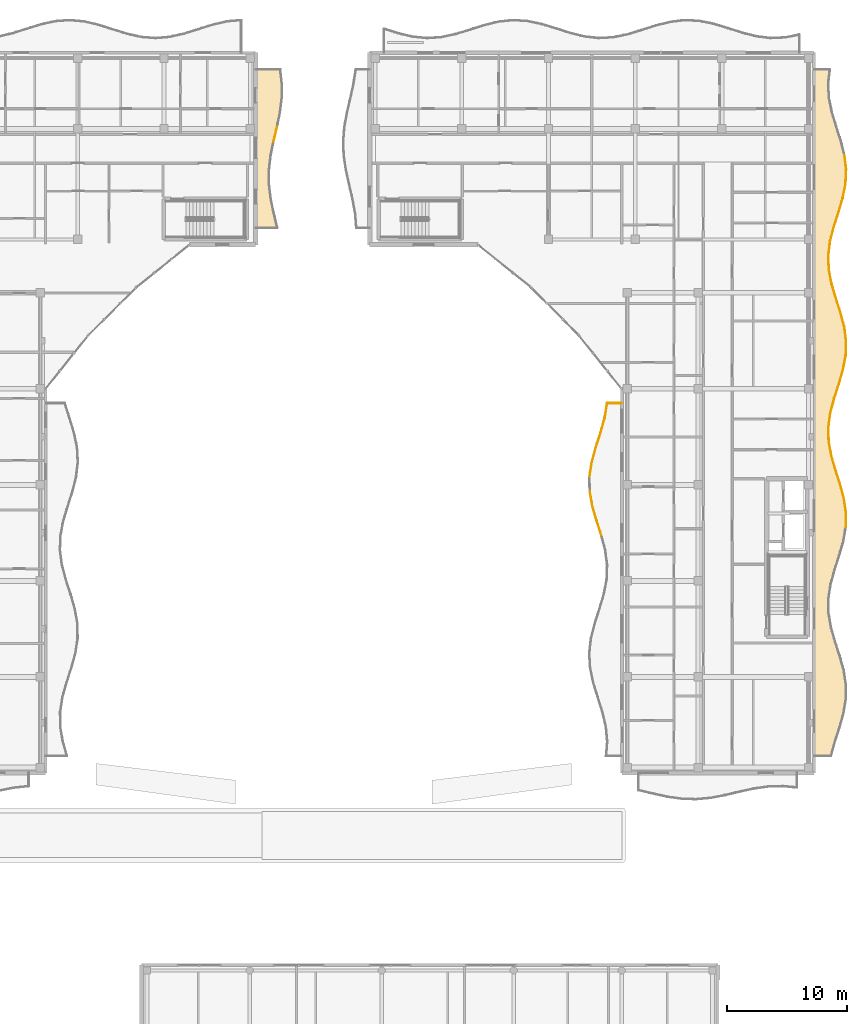
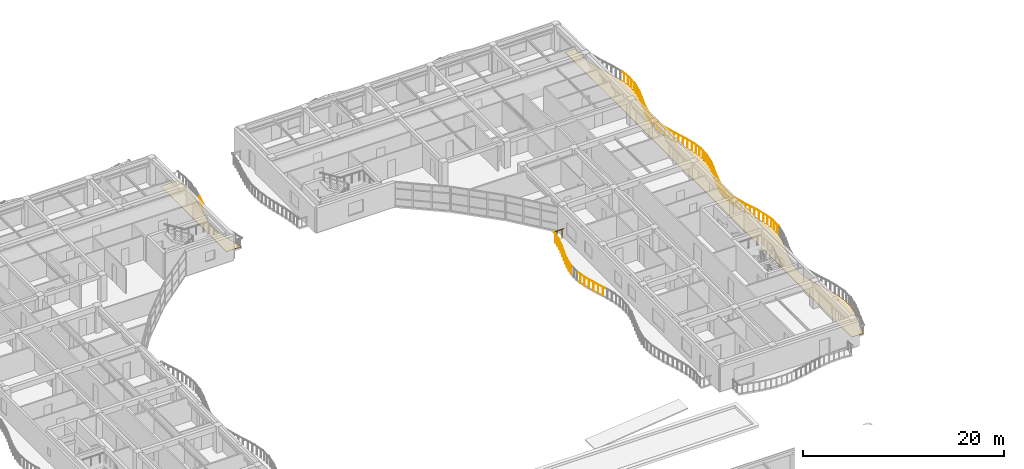
# One storey, part 126 of 128: 36 railings, 2 coverings.
"""IFC4 building model written with IfcOpenShell, lengths in metres."""

import ifcopenshell
import ifcopenshell.guid

model = None  # the IFC model being written
_history = None  # IfcOwnerHistory: only IFC2X3 demands one
_inside = {}  # id of a spatial element -> (the spatial element, [elements in it])
_under = {}  # id of a project, library or spatial element -> (it, [spatial elements below it])
_declared = {}  # id of a project -> (the project, [libraries it declares])
_typed = {}  # id of a type object -> (the type object, [elements of that type])
_made_of = {}  # id of a material, layer set ... -> (it, [elements and type objects made of it])


def new_model(schema):
    """Start an empty IFC model of exactly this schema.

    Asked for "IFC4X3", IfcOpenShell would pick the latest addendum, in which some entities
    have other attributes; the version numbers below select the first issue.
    IFC2X3 requires an IfcOwnerHistory on every rooted entity: one is made here for all.
    """
    global model, _history
    if schema == "IFC4X3":
        model = ifcopenshell.file(schema_version=(4, 3, 0, 0))
    else:
        model = ifcopenshell.file(schema=schema)
    _inside.clear()
    _under.clear()
    _declared.clear()
    _typed.clear()
    _made_of.clear()
    _history = None
    if model.schema == "IFC2X3":
        org = make("IfcOrganization", Name="unknown")
        user = make(
            "IfcPersonAndOrganization",
            ThePerson=make("IfcPerson", FamilyName="unknown"),
            TheOrganization=org,
        )
        app = make(
            "IfcApplication",
            ApplicationDeveloper=org,
            Version="unknown",
            ApplicationFullName="unknown",
            ApplicationIdentifier="unknown",
        )
        _history = make(
            "IfcOwnerHistory",
            OwningUser=user,
            OwningApplication=app,
            ChangeAction="ADDED",
            CreationDate=0,
        )
    return model


def make(cls, **values):
    """One entity of the class cls with the attributes given. An attribute that is None is left unset."""
    return model.create_entity(
        cls, **{name: value for name, value in values.items() if value is not None}
    )


def rooted(cls, **values):
    """An entity with a GlobalId (a new one), such as an element, a storey or a relation."""
    return make(cls, GlobalId=ifcopenshell.guid.new(), OwnerHistory=_history, **values)


def si_unit(unit_type, name, prefix=None):
    """IfcSIUnit, for example si_unit("LENGTHUNIT", "METRE", prefix="MILLI")."""
    return make("IfcSIUnit", UnitType=unit_type, Prefix=prefix, Name=name)


def assignment(units):
    """IfcUnitAssignment: the units of a project."""
    return None if units is None else make("IfcUnitAssignment", Units=units)


def point(xyz):
    """IfcCartesianPoint."""
    return None if xyz is None else make("IfcCartesianPoint", Coordinates=xyz)


def direction(xyz):
    """IfcDirection."""
    return None if xyz is None else make("IfcDirection", DirectionRatios=xyz)


def frame(location, z_axis=None, x_axis=None):
    """IfcAxis2Placement3D, a coordinate frame: its origin and axes. An axis left out is left unset."""
    return make(
        "IfcAxis2Placement3D",
        Location=point(location),
        Axis=direction(z_axis),
        RefDirection=direction(x_axis),
    )


def frame_2d(location, x_axis=None):
    """IfcAxis2Placement2D, a coordinate frame in the plane: its origin and x axis."""
    return make(
        "IfcAxis2Placement2D", Location=point(location), RefDirection=direction(x_axis)
    )


def origin():
    """The frame at (0, 0, 0) with its axes left unset."""
    return frame((0.0, 0.0, 0.0))


def origin_2d():
    """The frame at (0, 0) in the plane with its x axis left unset."""
    return frame_2d((0.0, 0.0))


def place(relative_to, where):
    """IfcLocalPlacement: puts the frame where relative to a parent placement (None: the world)."""
    return make(
        "IfcLocalPlacement", PlacementRelTo=relative_to, RelativePlacement=where
    )


def context(
    kind, dimensions, precision=None, world=None, true_north=None, identifier=None
):
    """IfcGeometricRepresentationContext, for example the 3D "Model" context."""
    return make(
        "IfcGeometricRepresentationContext",
        ContextIdentifier=identifier,
        ContextType=kind,
        CoordinateSpaceDimension=dimensions,
        Precision=precision,
        WorldCoordinateSystem=world,
        TrueNorth=true_north,
    )


def subcontext(parent, identifier, kind, view, scale=None):
    """IfcGeometricRepresentationSubContext, for example "Body" below "Model"."""
    return make(
        "IfcGeometricRepresentationSubContext",
        ContextIdentifier=identifier,
        ContextType=kind,
        ParentContext=parent,
        TargetScale=scale,
        TargetView=view,
    )


def project(units=None, contexts=None):
    """IfcProject with its units and contexts."""
    return rooted(
        "IfcProject",
        Name="project",
        RepresentationContexts=contexts,
        UnitsInContext=assignment(units),
    )


def spatial(cls, under=None, at=None, **own):
    """A site, building, storey or space (cls), placed at a placement, below another one or the project."""
    s = rooted(cls, ObjectPlacement=at, **own)
    if under is not None:
        _under.setdefault(under.id(), (under, []))[1].append(s)
    return s


def polyline(points):
    """IfcPolyline through the points."""
    return make("IfcPolyline", Points=[point(p) for p in points])


def profile(cls, at=None, kind="AREA", **sizes):
    """A parametric profile (cls). Its sizes go by their IFC names, for example OverallWidth=200.0."""
    return make(cls, ProfileType=kind, Position=at, **sizes)


def circle(**sizes):
    """IfcCircleProfileDef."""
    return profile("IfcCircleProfileDef", **sizes)


def outline(outer, holes=None, kind="AREA"):
    """IfcArbitraryClosedProfileDef: a profile drawn as a closed curve; with holes, ...WithVoids."""
    if holes is None:
        return make("IfcArbitraryClosedProfileDef", ProfileType=kind, OuterCurve=outer)
    return make(
        "IfcArbitraryProfileDefWithVoids",
        ProfileType=kind,
        OuterCurve=outer,
        InnerCurves=holes,
    )


def extrude(swept, where, along, depth):
    """IfcExtrudedAreaSolid: the profile swept, set in the frame where, extruded along a direction by depth."""
    return make(
        "IfcExtrudedAreaSolid",
        SweptArea=swept,
        Position=where,
        ExtrudedDirection=direction(along),
        Depth=depth,
    )


def shape(context_of_items, identifier, shape_type, items):
    """IfcShapeRepresentation: the items that make up one representation, for example the "Body"."""
    return make(
        "IfcShapeRepresentation",
        ContextOfItems=context_of_items,
        RepresentationIdentifier=identifier,
        RepresentationType=shape_type,
        Items=items,
    )


def material(Name=None, Category=None):
    """IfcMaterial."""
    return make("IfcMaterial", Name=Name, Category=Category)


def layer(
    of_material, thickness, ventilated=None, Name=None, Category=None, Priority=None
):
    """IfcMaterialLayer: one layer of a wall or slab, of a material (None: an air gap)."""
    return make(
        "IfcMaterialLayer",
        Material=of_material,
        LayerThickness=thickness,
        IsVentilated=ventilated,
        Name=Name,
        Category=Category,
        Priority=Priority,
    )


def layer_set(layers, Name=None):
    """IfcMaterialLayerSet."""
    return make("IfcMaterialLayerSet", MaterialLayers=layers, LayerSetName=Name)


def made_of(thing, what):
    """Note that an element or type object is made of a material, layer set ...; save() writes the relation."""
    if what is not None:
        _made_of.setdefault(what.id(), (what, []))[1].append(thing)
    return thing


def type_object(cls, material=None, **own):
    """A type object (cls), such as IfcWallType, which elements share."""
    return made_of(rooted(cls, **own), material)


def element(
    cls,
    number,
    at=None,
    inside=None,
    cuts=None,
    type_object=None,
    material=None,
    context=None,
    identifier="Body",
    shape_type=None,
    held_by="IfcProductDefinitionShape",
    body=None,
    shapes=None,
    **own,
):
    """One element of the class cls, such as IfcWall. Its Tag is "e" and its number.

    at: its placement. inside: the storey or other place that contains it. cuts: it is an
    opening in that element (IfcRelVoidsElement). A single representation is given by context,
    identifier, shape_type and body (its items); several are given by shapes. held_by: the class
    of the entity that holds the representations. save() writes the other relations.
    """
    e = rooted(cls, Tag="e%d" % number, ObjectPlacement=at, **own)
    if body is not None:
        shapes = [shape(context, identifier, shape_type, body)]
    if shapes is not None:
        e.Representation = make(held_by, Representations=shapes)
    if inside is not None:
        _inside.setdefault(inside.id(), (inside, []))[1].append(e)
    if cuts is not None:
        rooted(
            "IfcRelVoidsElement", RelatingBuildingElement=cuts, RelatedOpeningElement=e
        )
    if type_object is not None:
        _typed.setdefault(type_object.id(), (type_object, []))[1].append(e)
    return made_of(e, material)


def aggregate(whole, parts):
    """IfcRelAggregates: a whole, such as a stair, and the parts it consists of."""
    return rooted("IfcRelAggregates", RelatingObject=whole, RelatedObjects=parts)


def save(model, path):
    """Write the relations noted so far, then the file.

    IfcRelAggregates (storeys below a building ...), IfcRelContainedInSpatialStructure (elements
    in a storey), IfcRelDefinesByType, IfcRelAssociatesMaterial and IfcRelDeclares: one each for
    every whole, place, type object, material and project.
    """
    for whole, parts in _under.values():
        aggregate(whole, parts)
    for where, things in _inside.values():
        rooted(
            "IfcRelContainedInSpatialStructure",
            RelatedElements=things,
            RelatingStructure=where,
        )
    for kind, things in _typed.values():
        rooted("IfcRelDefinesByType", RelatedObjects=things, RelatingType=kind)
    for what, things in _made_of.values():
        rooted("IfcRelAssociatesMaterial", RelatedObjects=things, RelatingMaterial=what)
    for by, libraries in _declared.values():
        rooted("IfcRelDeclares", RelatingContext=by, RelatedDefinitions=libraries)
    model.write(path)


model = new_model("IFC4")

# Units and contexts
model_context = context("Model", 3, precision=1e-05, world=origin(), true_north=direction((0.0, 1.0)))
body_context = subcontext(model_context, "Body", "Model", "MODEL_VIEW")
ifc_project = project(units=[si_unit("LENGTHUNIT", "METRE"), si_unit("AREAUNIT", "SQUARE_METRE"), si_unit("VOLUMEUNIT", "CUBIC_METRE"), si_unit("PLANEANGLEUNIT", "RADIAN"), si_unit("MASSUNIT", "GRAM", prefix="KILO")], contexts=[model_context])

# Site, building, storey
site_placement = place(None, origin())
site = spatial("IfcSite", under=ifc_project, at=site_placement, CompositionType="ELEMENT")
building_placement = place(site_placement, origin())
building = spatial("IfcBuilding", under=site, at=building_placement, Name="Keldmere Railside Commons", CompositionType="ELEMENT")
storey_placement = place(building_placement, frame((0.0, 0.0, 4.159912109375)))
storey = spatial("IfcBuildingStorey", under=building, at=storey_placement, Name="L01", CompositionType="ELEMENT", Elevation=4.159912109375)

# Railings
ifc_material_1 = material(Name="Steel F-24 (S235)", Category="steel")
railing_type = type_object("IfcRailingType", Name="Balcony & Terrace Steel Balustrade 1100", PredefinedType="BALUSTRADE", material=ifc_material_1)
railing_1_placement = place(storey_placement, frame((138.991943359375, 108.60009765625, 0.0)))
element("IfcRailing", 1, at=railing_1_placement, inside=storey, type_object=railing_type, Name="GR-1 GRD-L01-1943", PredefinedType="BALUSTRADE", context=body_context, shape_type="SweptSolid", body=[
    extrude(circle(Radius=0.02392578125, at=origin_2d()), frame((0.0, 0.0, 1.076171875), z_axis=(0.230826468553, 0.97299493391, 0.0), x_axis=(-0.97299493391, 0.230826468553, 0.0)), (0.0, 0.0, 1.0), 1.233154296875),
    extrude(circle(Radius=0.02099609375, at=origin_2d()), frame((0.0712890625, 0.300048828125, 0.0)), (0.0, 0.0, 1.0), 1.048095703125),
    extrude(circle(Radius=0.02099609375, at=origin_2d()), frame((0.21337890625, 0.89990234375, 0.0)), (0.0, 0.0, 1.0), 1.048095703125),
])
railing_2_placement = place(storey_placement, frame((166.306396484375, 75.77490234375, 0.0)))
element("IfcRailing", 2, at=railing_2_placement, inside=storey, type_object=railing_type, Name="GR-1 GRD-L01-3203", PredefinedType="BALUSTRADE", context=body_context, shape_type="SweptSolid", body=[
    extrude(circle(Radius=0.02392578125, at=origin_2d()), frame((0.0, 0.0, 1.076171875), z_axis=(-0.306709041772, 0.951803321961, 0.0), x_axis=(-0.951803321961, -0.306709041772, 0.0)), (0.0, 0.0, 1.0), 1.287109375),
    extrude(circle(Radius=0.02099609375, at=origin_2d()), frame((-0.0986328125, 0.30615234375, 0.0)), (0.0, 0.0, 1.0), 1.048095703125),
    extrude(circle(Radius=0.02099609375, at=origin_2d()), frame((-0.296142578125, 0.9189453125, 0.0)), (0.0, 0.0, 1.0), 1.048095703125),
])
railing_3_placement = place(storey_placement, frame((165.91162109375, 77.0, 0.0)))
element("IfcRailing", 3, at=railing_3_placement, inside=storey, type_object=railing_type, Name="GR-1 GRD-L01-3204", PredefinedType="BALUSTRADE", context=body_context, shape_type="SweptSolid", body=[
    extrude(circle(Radius=0.02392578125, at=origin_2d()), frame((0.0, 0.0, 1.076171875), z_axis=(-0.279191603743, 0.96023541301, 0.0), x_axis=(-0.96023541301, -0.279191603743, 0.0)), (0.0, 0.0, 1.0), 1.27587890625),
    extrude(circle(Radius=0.02099609375, at=origin_2d()), frame((-0.089111328125, 0.30615234375, 0.0)), (0.0, 0.0, 1.0), 1.048095703125),
    extrude(circle(Radius=0.02099609375, at=origin_2d()), frame((-0.26708984375, 0.9189453125, 0.0)), (0.0, 0.0, 1.0), 1.048095703125),
])
railing_4_placement = place(storey_placement, frame((165.555419921875, 78.22509765625, 0.0)))
element("IfcRailing", 4, at=railing_4_placement, inside=storey, type_object=railing_type, Name="GR-1 GRD-L01-3205", PredefinedType="BALUSTRADE", context=body_context, shape_type="SweptSolid", body=[
    extrude(circle(Radius=0.02392578125, at=origin_2d()), frame((0.0, 0.0, 1.076171875), z_axis=(-0.17543066745, 0.984491788141, 0.0), x_axis=(-0.984491788141, -0.17543066745, 0.0)), (0.0, 0.0, 1.0), 1.244140625),
    extrude(circle(Radius=0.02099609375, at=origin_2d()), frame((-0.0546875, 0.30615234375, 0.0)), (0.0, 0.0, 1.0), 1.048095703125),
    extrude(circle(Radius=0.02099609375, at=origin_2d()), frame((-0.16357421875, 0.918701171875, 0.0)), (0.0, 0.0, 1.0), 1.048095703125),
])
railing_5_placement = place(storey_placement, frame((165.31787109375, 80.675048828125, 0.0)))
element("IfcRailing", 5, at=railing_5_placement, inside=storey, type_object=railing_type, Name="GR-1 GRD-L01-3207", PredefinedType="BALUSTRADE", context=body_context, shape_type="SweptSolid", body=[
    extrude(circle(Radius=0.02392578125, at=origin_2d()), frame((0.0, 0.0, 1.076171875), z_axis=(0.14919815412, 0.988807317331, 0.0), x_axis=(-0.988807317331, 0.14919815412, 0.0)), (0.0, 0.0, 1.0), 1.23876953125),
    extrude(circle(Radius=0.02099609375, at=origin_2d()), frame((0.046142578125, 0.30615234375, 0.0)), (0.0, 0.0, 1.0), 1.048095703125),
    extrude(circle(Radius=0.02099609375, at=origin_2d()), frame((0.138671875, 0.918701171875, 0.0)), (0.0, 0.0, 1.0), 1.048095703125),
])
railing_6_placement = place(storey_placement, frame((165.502685546875, 81.89990234375, 0.0)))
element("IfcRailing", 6, at=railing_6_placement, inside=storey, type_object=railing_type, Name="GR-1 GRD-L01-3208", PredefinedType="BALUSTRADE", context=body_context, shape_type="SweptSolid", body=[
    extrude(circle(Radius=0.02392578125, at=origin_2d()), frame((0.0, 0.0, 1.076171875), z_axis=(0.265701207082, 0.964055428155, 0.0), x_axis=(-0.964055428155, 0.265701207082, 0.0)), (0.0, 0.0, 1.0), 1.270751953125),
    extrude(circle(Radius=0.02099609375, at=origin_2d()), frame((0.08447265625, 0.30615234375, 0.0)), (0.0, 0.0, 1.0), 1.048095703125),
    extrude(circle(Radius=0.02099609375, at=origin_2d()), frame((0.253173828125, 0.9189453125, 0.0)), (0.0, 0.0, 1.0), 1.048095703125),
])
railing_7_placement = place(storey_placement, frame((165.84033203125, 83.125, 0.0)))
element("IfcRailing", 7, at=railing_7_placement, inside=storey, type_object=railing_type, Name="GR-1 GRD-L01-3209", PredefinedType="BALUSTRADE", context=body_context, shape_type="SweptSolid", body=[
    extrude(circle(Radius=0.02392578125, at=origin_2d()), frame((0.0, 0.0, 1.076171875), z_axis=(0.307567840436, 0.951526154937, 0.0), x_axis=(-0.951526154937, 0.307567840436, 0.0)), (0.0, 0.0, 1.0), 1.28759765625),
    extrude(circle(Radius=0.02099609375, at=origin_2d()), frame((0.09912109375, 0.30615234375, 0.0)), (0.0, 0.0, 1.0), 1.048095703125),
    extrude(circle(Radius=0.02099609375, at=origin_2d()), frame((0.296875, 0.9189453125, 0.0)), (0.0, 0.0, 1.0), 1.048095703125),
])
railing_8_placement = place(storey_placement, frame((166.236328125, 84.35009765625, 0.0)))
element("IfcRailing", 8, at=railing_8_placement, inside=storey, type_object=railing_type, Name="GR-1 GRD-L01-3210", PredefinedType="BALUSTRADE", context=body_context, shape_type="SweptSolid", body=[
    extrude(circle(Radius=0.02392578125, at=origin_2d()), frame((0.0, 0.0, 1.076171875), z_axis=(0.27056219299, 0.962702498036, 0.0), x_axis=(-0.962702498036, 0.27056219299, 0.0)), (0.0, 0.0, 1.0), 1.272216796875),
    extrude(circle(Radius=0.02099609375, at=origin_2d()), frame((0.0859375, 0.30615234375, 0.0)), (0.0, 0.0, 1.0), 1.048095703125),
    extrude(circle(Radius=0.02099609375, at=origin_2d()), frame((0.25830078125, 0.918701171875, 0.0)), (0.0, 0.0, 1.0), 1.048095703125),
])
railing_9_placement = place(storey_placement, frame((166.58056640625, 85.574951171875, 0.0)))
element("IfcRailing", 9, at=railing_9_placement, inside=storey, type_object=railing_type, Name="GR-1 GRD-L01-3211", PredefinedType="BALUSTRADE", context=body_context, shape_type="SweptSolid", body=[
    extrude(circle(Radius=0.02392578125, at=origin_2d()), frame((0.0, 0.0, 1.076171875), z_axis=(0.158013525126, 0.987436947798, 0.0), x_axis=(-0.987436947798, 0.158013525126, 0.0)), (0.0, 0.0, 1.0), 1.24072265625),
    extrude(circle(Radius=0.02099609375, at=origin_2d()), frame((0.049072265625, 0.30615234375, 0.0)), (0.0, 0.0, 1.0), 1.048095703125),
    extrude(circle(Radius=0.02099609375, at=origin_2d()), frame((0.14697265625, 0.9189453125, 0.0)), (0.0, 0.0, 1.0), 1.048095703125),
])
railing_10_placement = place(storey_placement, frame((166.776611328125, 86.800048828125, 0.0)))
element("IfcRailing", 10, at=railing_10_placement, inside=storey, type_object=railing_type, Name="GR-1 GRD-L01-3212", PredefinedType="BALUSTRADE", context=body_context, shape_type="SweptSolid", body=[
    extrude(circle(Radius=0.02392578125, at=origin_2d()), frame((0.0, 0.0, 1.076171875), z_axis=(1.0, 0.0, 0.0), x_axis=(0.0, 1.0, 0.0)), (0.0, 0.0, 1.0), 1.223388671875),
    extrude(circle(Radius=0.02099609375, at=origin_2d()), frame((0.305908203125, 0.0, 0.0)), (0.0, 0.0, 1.0), 1.048095703125),
    extrude(circle(Radius=0.02099609375, at=origin_2d()), frame((0.91748046875, 0.0, 0.0)), (0.0, 0.0, 1.0), 1.048095703125),
])
railing_11_placement = place(storey_placement, frame((186.66259765625, 76.466796875, 0.0)))
element("IfcRailing", 11, at=railing_11_placement, inside=storey, type_object=railing_type, Name="GR-1 GRD-L01-3230", PredefinedType="BALUSTRADE", context=body_context, shape_type="SweptSolid", body=[
    extrude(circle(Radius=0.02392578125, at=origin_2d()), frame((0.0, 0.0, 1.076171875), z_axis=(0.018644299667, 0.999826179938, 0.0), x_axis=(-0.999826179938, 0.018644299667, 0.0)), (0.0, 0.0, 1.0), 1.191650390625),
    extrude(circle(Radius=0.02099609375, at=origin_2d()), frame((0.005615234375, 0.2978515625, 0.0)), (0.0, 0.0, 1.0), 1.048095703125),
    extrude(circle(Radius=0.02099609375, at=origin_2d()), frame((0.0166015625, 0.8935546875, 0.0)), (0.0, 0.0, 1.0), 1.048095703125),
])
railing_12_placement = place(storey_placement, frame((186.684814453125, 77.658203125, 0.0)))
element("IfcRailing", 12, at=railing_12_placement, inside=storey, type_object=railing_type, Name="GR-1 GRD-L01-3231", PredefinedType="BALUSTRADE", context=body_context, shape_type="SweptSolid", body=[
    extrude(circle(Radius=0.02392578125, at=origin_2d()), frame((0.0, 0.0, 1.076171875), z_axis=(-0.142925458072, 0.989733455752, 0.0), x_axis=(-0.989733455752, -0.142925458072, 0.0)), (0.0, 0.0, 1.0), 1.204345703125),
    extrude(circle(Radius=0.02099609375, at=origin_2d()), frame((-0.04296875, 0.2978515625, 0.0)), (0.0, 0.0, 1.0), 1.048095703125),
    extrude(circle(Radius=0.02099609375, at=origin_2d()), frame((-0.129150390625, 0.89404296875, 0.0)), (0.0, 0.0, 1.0), 1.048095703125),
])
railing_13_placement = place(storey_placement, frame((186.5126953125, 78.85009765625, 0.0)))
element("IfcRailing", 13, at=railing_13_placement, inside=storey, type_object=railing_type, Name="GR-1 GRD-L01-3232", PredefinedType="BALUSTRADE", context=body_context, shape_type="SweptSolid", body=[
    extrude(circle(Radius=0.02392578125, at=origin_2d()), frame((0.0, 0.0, 1.076171875), z_axis=(-0.259767710943, 0.965671132607, 0.0), x_axis=(-0.965671132607, -0.259767710943, 0.0)), (0.0, 0.0, 1.0), 1.234130859375),
    extrude(circle(Radius=0.02099609375, at=origin_2d()), frame((-0.080078125, 0.2978515625, 0.0)), (0.0, 0.0, 1.0), 1.048095703125),
    extrude(circle(Radius=0.02099609375, at=origin_2d()), frame((-0.240478515625, 0.893798828125, 0.0)), (0.0, 0.0, 1.0), 1.048095703125),
])
railing_14_placement = place(storey_placement, frame((186.192138671875, 80.041748046875, 0.0)))
element("IfcRailing", 14, at=railing_14_placement, inside=storey, type_object=railing_type, Name="GR-1 GRD-L01-3233", PredefinedType="BALUSTRADE", context=body_context, shape_type="SweptSolid", body=[
    extrude(circle(Radius=0.02392578125, at=origin_2d()), frame((0.0, 0.0, 1.076171875), z_axis=(-0.307264804156, 0.951624053987, 0.0), x_axis=(-0.951624053987, -0.307264804156, 0.0)), (0.0, 0.0, 1.0), 1.252197265625),
    extrude(circle(Radius=0.02099609375, at=origin_2d()), frame((-0.09619140625, 0.2978515625, 0.0)), (0.0, 0.0, 1.0), 1.048095703125),
    extrude(circle(Radius=0.02099609375, at=origin_2d()), frame((-0.28857421875, 0.893798828125, 0.0)), (0.0, 0.0, 1.0), 1.048095703125),
])
railing_15_placement = place(storey_placement, frame((185.807373046875, 81.2333984375, 0.0)))
element("IfcRailing", 15, at=railing_15_placement, inside=storey, type_object=railing_type, Name="GR-1 GRD-L01-3234", PredefinedType="BALUSTRADE", context=body_context, shape_type="SweptSolid", body=[
    extrude(circle(Radius=0.02392578125, at=origin_2d()), frame((0.0, 0.0, 1.076171875), z_axis=(-0.279524086169, 0.960138680218, 0.0), x_axis=(-0.960138680218, -0.279524086169, 0.0)), (0.0, 0.0, 1.0), 1.2412109375),
    extrude(circle(Radius=0.02099609375, at=origin_2d()), frame((-0.086669921875, 0.2978515625, 0.0)), (0.0, 0.0, 1.0), 1.048095703125),
    extrude(circle(Radius=0.02099609375, at=origin_2d()), frame((-0.26025390625, 0.893798828125, 0.0)), (0.0, 0.0, 1.0), 1.048095703125),
])
railing_16_placement = place(storey_placement, frame((185.46044921875, 82.425048828125, 0.0)))
element("IfcRailing", 16, at=railing_16_placement, inside=storey, type_object=railing_type, Name="GR-1 GRD-L01-3235", PredefinedType="BALUSTRADE", context=body_context, shape_type="SweptSolid", body=[
    extrude(circle(Radius=0.02392578125, at=origin_2d()), frame((0.0, 0.0, 1.076171875), z_axis=(-0.17957709837, 0.983743902518, 0.0), x_axis=(-0.983743902518, -0.17957709837, 0.0)), (0.0, 0.0, 1.0), 1.21142578125),
    extrude(circle(Radius=0.02099609375, at=origin_2d()), frame((-0.054443359375, 0.2978515625, 0.0)), (0.0, 0.0, 1.0), 1.048095703125),
    extrude(circle(Radius=0.02099609375, at=origin_2d()), frame((-0.1630859375, 0.893798828125, 0.0)), (0.0, 0.0, 1.0), 1.048095703125),
])
railing_17_placement = place(storey_placement, frame((185.242919921875, 83.61669921875, 0.0)))
element("IfcRailing", 17, at=railing_17_placement, inside=storey, type_object=railing_type, Name="GR-1 GRD-L01-3236", PredefinedType="BALUSTRADE", context=body_context, shape_type="SweptSolid", body=[
    extrude(circle(Radius=0.02392578125, at=origin_2d()), frame((0.0, 0.0, 1.076171875), z_axis=(-0.025805785471, 0.999666975265, 0.0), x_axis=(-0.999666975265, -0.025805785471, 0.0)), (0.0, 0.0, 1.0), 1.192138671875),
    extrude(circle(Radius=0.02099609375, at=origin_2d()), frame((-0.0078125, 0.2978515625, 0.0)), (0.0, 0.0, 1.0), 1.048095703125),
    extrude(circle(Radius=0.02099609375, at=origin_2d()), frame((-0.02294921875, 0.893798828125, 0.0)), (0.0, 0.0, 1.0), 1.048095703125),
])
railing_18_placement = place(storey_placement, frame((185.212158203125, 84.808349609375, 0.0)))
element("IfcRailing", 18, at=railing_18_placement, inside=storey, type_object=railing_type, Name="GR-1 GRD-L01-3237", PredefinedType="BALUSTRADE", context=body_context, shape_type="SweptSolid", body=[
    extrude(circle(Radius=0.02392578125, at=origin_2d()), frame((0.0, 0.0, 1.076171875), z_axis=(0.136589322241, 0.990627759075, 0.0), x_axis=(-0.990627759075, 0.136589322241, 0.0)), (0.0, 0.0, 1.0), 1.202880859375),
    extrude(circle(Radius=0.02099609375, at=origin_2d()), frame((0.041015625, 0.2978515625, 0.0)), (0.0, 0.0, 1.0), 1.048095703125),
    extrude(circle(Radius=0.02099609375, at=origin_2d()), frame((0.123291015625, 0.893798828125, 0.0)), (0.0, 0.0, 1.0), 1.048095703125),
])
railing_19_placement = place(storey_placement, frame((185.37646484375, 86.0, 0.0)))
element("IfcRailing", 19, at=railing_19_placement, inside=storey, type_object=railing_type, Name="GR-1 GRD-L01-3238", PredefinedType="BALUSTRADE", context=body_context, shape_type="SweptSolid", body=[
    extrude(circle(Radius=0.02392578125, at=origin_2d()), frame((0.0, 0.0, 1.076171875), z_axis=(0.256257233806, 0.966608623033, 0.0), x_axis=(-0.966608623033, 0.256257233806, 0.0)), (0.0, 0.0, 1.0), 1.23291015625),
    extrude(circle(Radius=0.02099609375, at=origin_2d()), frame((0.0791015625, 0.2978515625, 0.0)), (0.0, 0.0, 1.0), 1.048095703125),
    extrude(circle(Radius=0.02099609375, at=origin_2d()), frame((0.23681640625, 0.893798828125, 0.0)), (0.0, 0.0, 1.0), 1.048095703125),
])
railing_20_placement = place(storey_placement, frame((185.6923828125, 87.191650390625, 0.0)))
element("IfcRailing", 20, at=railing_20_placement, inside=storey, type_object=railing_type, Name="GR-1 GRD-L01-3239", PredefinedType="BALUSTRADE", context=body_context, shape_type="SweptSolid", body=[
    extrude(circle(Radius=0.02392578125, at=origin_2d()), frame((0.0, 0.0, 1.076171875), z_axis=(0.306734987386, 0.951794960857, 0.0), x_axis=(-0.951794960857, 0.306734987386, 0.0)), (0.0, 0.0, 1.0), 1.251953125),
    extrude(circle(Radius=0.02099609375, at=origin_2d()), frame((0.095947265625, 0.2978515625, 0.0)), (0.0, 0.0, 1.0), 1.048095703125),
    extrude(circle(Radius=0.02099609375, at=origin_2d()), frame((0.2880859375, 0.893798828125, 0.0)), (0.0, 0.0, 1.0), 1.048095703125),
])
railing_21_placement = place(storey_placement, frame((186.076416015625, 88.38330078125, 0.0)))
element("IfcRailing", 21, at=railing_21_placement, inside=storey, type_object=railing_type, Name="GR-1 GRD-L01-3240", PredefinedType="BALUSTRADE", context=body_context, shape_type="SweptSolid", body=[
    extrude(circle(Radius=0.02392578125, at=origin_2d()), frame((0.0, 0.0, 1.076171875), z_axis=(0.282240810519, 0.959343590627, 0.0), x_axis=(-0.959343590627, 0.282240810519, 0.0)), (0.0, 0.0, 1.0), 1.2421875),
    extrude(circle(Radius=0.02099609375, at=origin_2d()), frame((0.087646484375, 0.2978515625, 0.0)), (0.0, 0.0, 1.0), 1.048095703125),
    extrude(circle(Radius=0.02099609375, at=origin_2d()), frame((0.262939453125, 0.893798828125, 0.0)), (0.0, 0.0, 1.0), 1.048095703125),
])
railing_22_placement = place(storey_placement, frame((186.427001953125, 89.574951171875, 0.0)))
element("IfcRailing", 22, at=railing_22_placement, inside=storey, type_object=railing_type, Name="GR-1 GRD-L01-3241", PredefinedType="BALUSTRADE", context=body_context, shape_type="SweptSolid", body=[
    extrude(circle(Radius=0.02392578125, at=origin_2d()), frame((0.0, 0.0, 1.076171875), z_axis=(0.185224450348, 0.982696241467, 0.0), x_axis=(-0.982696241467, 0.185224450348, 0.0)), (0.0, 0.0, 1.0), 1.212646484375),
    extrude(circle(Radius=0.02099609375, at=origin_2d()), frame((0.05615234375, 0.2978515625, 0.0)), (0.0, 0.0, 1.0), 1.048095703125),
    extrude(circle(Radius=0.02099609375, at=origin_2d()), frame((0.16845703125, 0.893798828125, 0.0)), (0.0, 0.0, 1.0), 1.048095703125),
])
railing_23_placement = place(storey_placement, frame((186.651611328125, 90.7666015625, 0.0)))
element("IfcRailing", 23, at=railing_23_placement, inside=storey, type_object=railing_type, Name="GR-1 GRD-L01-3242", PredefinedType="BALUSTRADE", context=body_context, shape_type="SweptSolid", body=[
    extrude(circle(Radius=0.02392578125, at=origin_2d()), frame((0.0, 0.0, 1.076171875), z_axis=(0.032762570388, 0.999463162894, 0.0), x_axis=(-0.999463162894, 0.032762570388, 0.0)), (0.0, 0.0, 1.0), 1.1923828125),
    extrude(circle(Radius=0.02099609375, at=origin_2d()), frame((0.009765625, 0.2978515625, 0.0)), (0.0, 0.0, 1.0), 1.048095703125),
    extrude(circle(Radius=0.02099609375, at=origin_2d()), frame((0.029296875, 0.893798828125, 0.0)), (0.0, 0.0, 1.0), 1.048095703125),
])
railing_24_placement = place(storey_placement, frame((186.690673828125, 91.958251953125, 0.0)))
element("IfcRailing", 24, at=railing_24_placement, inside=storey, type_object=railing_type, Name="GR-1 GRD-L01-3243", PredefinedType="BALUSTRADE", context=body_context, shape_type="SweptSolid", body=[
    extrude(circle(Radius=0.02392578125, at=origin_2d()), frame((0.0, 0.0, 1.076171875), z_axis=(-0.130407222247, 0.991460516806, 0.0), x_axis=(-0.991460516806, -0.130407222247, 0.0)), (0.0, 0.0, 1.0), 1.201904296875),
    extrude(circle(Radius=0.02099609375, at=origin_2d()), frame((-0.0390625, 0.2978515625, 0.0)), (0.0, 0.0, 1.0), 1.048095703125),
    extrude(circle(Radius=0.02099609375, at=origin_2d()), frame((-0.11767578125, 0.893798828125, 0.0)), (0.0, 0.0, 1.0), 1.048095703125),
])
railing_25_placement = place(storey_placement, frame((186.533935546875, 93.14990234375, 0.0)))
element("IfcRailing", 25, at=railing_25_placement, inside=storey, type_object=railing_type, Name="GR-1 GRD-L01-3244", PredefinedType="BALUSTRADE", context=body_context, shape_type="SweptSolid", body=[
    extrude(circle(Radius=0.02392578125, at=origin_2d()), frame((0.0, 0.0, 1.076171875), z_axis=(-0.252502578106, 0.967596221597, 0.0), x_axis=(-0.967596221597, -0.252502578106, 0.0)), (0.0, 0.0, 1.0), 1.231689453125),
    extrude(circle(Radius=0.02099609375, at=origin_2d()), frame((-0.07763671875, 0.2978515625, 0.0)), (0.0, 0.0, 1.0), 1.048095703125),
    extrude(circle(Radius=0.02099609375, at=origin_2d()), frame((-0.2333984375, 0.89404296875, 0.0)), (0.0, 0.0, 1.0), 1.048095703125),
])
railing_26_placement = place(storey_placement, frame((186.222900390625, 94.341796875, 0.0)))
element("IfcRailing", 26, at=railing_26_placement, inside=storey, type_object=railing_type, Name="GR-1 GRD-L01-3245", PredefinedType="BALUSTRADE", context=body_context, shape_type="SweptSolid", body=[
    extrude(circle(Radius=0.02392578125, at=origin_2d()), frame((0.0, 0.0, 1.076171875), z_axis=(-0.306261747352, 0.951947342088, 0.0), x_axis=(-0.951947342088, -0.306261747352, 0.0)), (0.0, 0.0, 1.0), 1.25146484375),
    extrude(circle(Radius=0.02099609375, at=origin_2d()), frame((-0.095703125, 0.2978515625, 0.0)), (0.0, 0.0, 1.0), 1.048095703125),
    extrude(circle(Radius=0.02099609375, at=origin_2d()), frame((-0.28759765625, 0.8935546875, 0.0)), (0.0, 0.0, 1.0), 1.048095703125),
])
railing_27_placement = place(storey_placement, frame((185.839599609375, 95.533203125, 0.0)))
element("IfcRailing", 27, at=railing_27_placement, inside=storey, type_object=railing_type, Name="GR-1 GRD-L01-3246", PredefinedType="BALUSTRADE", context=body_context, shape_type="SweptSolid", body=[
    extrude(circle(Radius=0.02392578125, at=origin_2d()), frame((0.0, 0.0, 1.076171875), z_axis=(-0.284716708034, 0.958611702498, 0.0), x_axis=(-0.958611702498, -0.284716708034, 0.0)), (0.0, 0.0, 1.0), 1.243408203125),
    extrude(circle(Radius=0.02099609375, at=origin_2d()), frame((-0.08837890625, 0.2978515625, 0.0)), (0.0, 0.0, 1.0), 1.048095703125),
    extrude(circle(Radius=0.02099609375, at=origin_2d()), frame((-0.265625, 0.89404296875, 0.0)), (0.0, 0.0, 1.0), 1.048095703125),
])
railing_28_placement = place(storey_placement, frame((185.485595703125, 96.72509765625, 0.0)))
element("IfcRailing", 28, at=railing_28_placement, inside=storey, type_object=railing_type, Name="GR-1 GRD-L01-3247", PredefinedType="BALUSTRADE", context=body_context, shape_type="SweptSolid", body=[
    extrude(circle(Radius=0.02392578125, at=origin_2d()), frame((0.0, 0.0, 1.076171875), z_axis=(-0.190465896498, 0.981693812892, 0.0), x_axis=(-0.981693812892, -0.190465896498, 0.0)), (0.0, 0.0, 1.0), 1.2138671875),
    extrude(circle(Radius=0.02099609375, at=origin_2d()), frame((-0.057861328125, 0.2978515625, 0.0)), (0.0, 0.0, 1.0), 1.048095703125),
    extrude(circle(Radius=0.02099609375, at=origin_2d()), frame((-0.17333984375, 0.893798828125, 0.0)), (0.0, 0.0, 1.0), 1.048095703125),
])
railing_29_placement = place(storey_placement, frame((185.25439453125, 97.916748046875, 0.0)))
element("IfcRailing", 29, at=railing_29_placement, inside=storey, type_object=railing_type, Name="GR-1 GRD-L01-3248", PredefinedType="BALUSTRADE", context=body_context, shape_type="SweptSolid", body=[
    extrude(circle(Radius=0.02392578125, at=origin_2d()), frame((0.0, 0.0, 1.076171875), z_axis=(-0.039714596692, 0.999211064195, 0.0), x_axis=(-0.999211064195, -0.039714596692, 0.0)), (0.0, 0.0, 1.0), 1.192626953125),
    extrude(circle(Radius=0.02099609375, at=origin_2d()), frame((-0.01171875, 0.2978515625, 0.0)), (0.0, 0.0, 1.0), 1.048095703125),
    extrude(circle(Radius=0.02099609375, at=origin_2d()), frame((-0.03564453125, 0.893798828125, 0.0)), (0.0, 0.0, 1.0), 1.048095703125),
])
railing_30_placement = place(storey_placement, frame((185.20703125, 99.1083984375, 0.0)))
element("IfcRailing", 30, at=railing_30_placement, inside=storey, type_object=railing_type, Name="GR-1 GRD-L01-3249", PredefinedType="BALUSTRADE", context=body_context, shape_type="SweptSolid", body=[
    extrude(circle(Radius=0.02392578125, at=origin_2d()), frame((0.0, 0.0, 1.076171875), z_axis=(0.124009713674, 0.992281004008, 0.0), x_axis=(-0.992281004008, 0.124009713674, 0.0)), (0.0, 0.0, 1.0), 1.200927734375),
    extrude(circle(Radius=0.02099609375, at=origin_2d()), frame((0.037109375, 0.2978515625, 0.0)), (0.0, 0.0, 1.0), 1.048095703125),
    extrude(circle(Radius=0.02099609375, at=origin_2d()), frame((0.11181640625, 0.893798828125, 0.0)), (0.0, 0.0, 1.0), 1.048095703125),
])
railing_31_placement = place(storey_placement, frame((185.35595703125, 100.300048828125, 0.0)))
element("IfcRailing", 31, at=railing_31_placement, inside=storey, type_object=railing_type, Name="GR-1 GRD-L01-3250", PredefinedType="BALUSTRADE", context=body_context, shape_type="SweptSolid", body=[
    extrude(circle(Radius=0.02392578125, at=origin_2d()), frame((0.0, 0.0, 1.076171875), z_axis=(0.24883363779, 0.96854624087, 0.0), x_axis=(-0.96854624087, 0.24883363779, 0.0)), (0.0, 0.0, 1.0), 1.23046875),
    extrude(circle(Radius=0.02099609375, at=origin_2d()), frame((0.07666015625, 0.2978515625, 0.0)), (0.0, 0.0, 1.0), 1.048095703125),
    extrude(circle(Radius=0.02099609375, at=origin_2d()), frame((0.2294921875, 0.893798828125, 0.0)), (0.0, 0.0, 1.0), 1.048095703125),
])
railing_32_placement = place(storey_placement, frame((185.662109375, 101.49169921875, 0.0)))
element("IfcRailing", 32, at=railing_32_placement, inside=storey, type_object=railing_type, Name="GR-1 GRD-L01-3251", PredefinedType="BALUSTRADE", context=body_context, shape_type="SweptSolid", body=[
    extrude(circle(Radius=0.02392578125, at=origin_2d()), frame((0.0, 0.0, 1.076171875), z_axis=(0.30532074871, 0.952249568342, 0.0), x_axis=(-0.952249568342, 0.30532074871, 0.0)), (0.0, 0.0, 1.0), 1.25146484375),
    extrude(circle(Radius=0.02099609375, at=origin_2d()), frame((0.095458984375, 0.2978515625, 0.0)), (0.0, 0.0, 1.0), 1.048095703125),
    extrude(circle(Radius=0.02099609375, at=origin_2d()), frame((0.28662109375, 0.893798828125, 0.0)), (0.0, 0.0, 1.0), 1.048095703125),
])
railing_33_placement = place(storey_placement, frame((186.044189453125, 102.683349609375, 0.0)))
element("IfcRailing", 33, at=railing_33_placement, inside=storey, type_object=railing_type, Name="GR-1 GRD-L01-3252", PredefinedType="BALUSTRADE", context=body_context, shape_type="SweptSolid", body=[
    extrude(circle(Radius=0.02392578125, at=origin_2d()), frame((0.0, 0.0, 1.076171875), z_axis=(0.287113817299, 0.957896474529, 0.0), x_axis=(-0.957896474529, 0.287113817299, 0.0)), (0.0, 0.0, 1.0), 1.244140625),
    extrude(circle(Radius=0.02099609375, at=origin_2d()), frame((0.08935546875, 0.2978515625, 0.0)), (0.0, 0.0, 1.0), 1.048095703125),
    extrude(circle(Radius=0.02099609375, at=origin_2d()), frame((0.267822265625, 0.893798828125, 0.0)), (0.0, 0.0, 1.0), 1.048095703125),
])
railing_34_placement = place(storey_placement, frame((186.4013671875, 103.875, 0.0)))
element("IfcRailing", 34, at=railing_34_placement, inside=storey, type_object=railing_type, Name="GR-1 GRD-L01-3253", PredefinedType="BALUSTRADE", context=body_context, shape_type="SweptSolid", body=[
    extrude(circle(Radius=0.02392578125, at=origin_2d()), frame((0.0, 0.0, 1.076171875), z_axis=(0.195884313902, 0.980627011441, 0.0), x_axis=(-0.980627011441, 0.195884313902, 0.0)), (0.0, 0.0, 1.0), 1.215087890625),
    extrude(circle(Radius=0.02099609375, at=origin_2d()), frame((0.0595703125, 0.2978515625, 0.0)), (0.0, 0.0, 1.0), 1.048095703125),
    extrude(circle(Radius=0.02099609375, at=origin_2d()), frame((0.178466796875, 0.893798828125, 0.0)), (0.0, 0.0, 1.0), 1.048095703125),
])
railing_35_placement = place(storey_placement, frame((186.639404296875, 105.066650390625, 0.0)))
element("IfcRailing", 35, at=railing_35_placement, inside=storey, type_object=railing_type, Name="GR-1 GRD-L01-3254", PredefinedType="BALUSTRADE", context=body_context, shape_type="SweptSolid", body=[
    extrude(circle(Radius=0.02392578125, at=origin_2d()), frame((0.0, 0.0, 1.076171875), z_axis=(0.046660860451, 0.998910788861, 0.0), x_axis=(-0.998910788861, 0.046660860451, 0.0)), (0.0, 0.0, 1.0), 1.19287109375),
    extrude(circle(Radius=0.02099609375, at=origin_2d()), frame((0.013916015625, 0.2978515625, 0.0)), (0.0, 0.0, 1.0), 1.048095703125),
    extrude(circle(Radius=0.02099609375, at=origin_2d()), frame((0.041748046875, 0.893798828125, 0.0)), (0.0, 0.0, 1.0), 1.048095703125),
])
railing_36_placement = place(storey_placement, frame((186.695068359375, 106.25830078125, 0.0)))
element("IfcRailing", 36, at=railing_36_placement, inside=storey, type_object=railing_type, Name="GR-1 GRD-L01-3255", PredefinedType="BALUSTRADE", context=body_context, shape_type="SweptSolid", body=[
    extrude(circle(Radius=0.02392578125, at=origin_2d()), frame((0.0, 0.0, 1.076171875), z_axis=(-0.117596703525, 0.993061435824, 0.0), x_axis=(-0.993061435824, -0.117596703525, 0.0)), (0.0, 0.0, 1.0), 1.199951171875),
    extrude(circle(Radius=0.02099609375, at=origin_2d()), frame((-0.03515625, 0.2978515625, 0.0)), (0.0, 0.0, 1.0), 1.048095703125),
    extrude(circle(Radius=0.02099609375, at=origin_2d()), frame((-0.10595703125, 0.893798828125, 0.0)), (0.0, 0.0, 1.0), 1.048095703125),
])

# Coverings
ifc_material_2 = material(Name="White Precast Concrete C35/45", Category="concrete")
ifc_layer = layer(ifc_material_2, 0.044921875, Name="White Architectural Balcony Ribbon Cladding 45")
ifc_layer_set = layer_set([ifc_layer], Name="White Precast Concrete C35/45")
covering_type = type_object("IfcCoveringType", Name="White Architectural Balcony Ribbon Cladding 45", PredefinedType="FLOORING", material=ifc_layer_set)
covering_1_placement = place(storey_placement, origin())
element("IfcCovering", 37, at=covering_1_placement, inside=storey, type_object=covering_type, Name="CLG-WB B L01 WE White Balcony Ribbon", PredefinedType="FLOORING", context=body_context, shape_type="SweptSolid", body=[
    extrude(outline(polyline([(138.984619140625, 102.5908203125), (138.984375, 102.591796875), (138.733642578125, 103.791748046875), (138.733154296875, 103.795166015625), (138.58349609375, 104.9951171875), (138.583251953125, 104.999755859375), (138.57470703125, 106.19970703125), (138.574951171875, 106.20458984375), (138.7099609375, 107.404541015625), (138.71044921875, 107.407958984375), (138.95263671875, 108.60791015625), (138.952880859375, 108.609130859375), (139.237548828125, 109.80859375), (139.48779296875, 111.006591796875), (139.63671875, 112.20263671875), (139.645263671875, 113.39794921875), (139.514404296875, 114.56005859375), (137.5400390625, 114.56005859375), (137.5400390625, 101.43994140625), (139.257568359375, 101.43994140625), (138.984619140625, 102.5908203125)])), origin(), (0.0, 0.0, 1.0), 0.045166015625),
])
covering_2_placement = place(storey_placement, origin())
element("IfcCovering", 38, at=covering_2_placement, inside=storey, type_object=covering_type, Name="CLG-WB A L01 CE White Balcony Ribbon", PredefinedType="FLOORING", context=body_context, shape_type="SweptSolid", body=[
    extrude(outline(polyline([(185.71630859375, 58.6025390625), (185.716796875, 58.60400390625), (186.10205078125, 59.794921875), (186.4365234375, 60.983642578125), (186.632080078125, 62.170166015625), (186.637451171875, 63.355224609375), (186.451416015625, 64.54150390625), (186.12255859375, 65.730224609375), (185.7373046875, 66.9208984375), (185.73681640625, 66.92236328125), (185.397705078125, 68.114013671875), (185.396728515625, 68.118408203125), (185.193115234375, 69.31005859375), (185.19287109375, 69.31298828125), (185.192626953125, 69.316162109375), (185.1787109375, 70.5078125), (185.1787109375, 70.510986328125), (185.17919921875, 70.514404296875), (185.358642578125, 71.7060546875), (185.359619140625, 71.71044921875), (185.684814453125, 72.902099609375), (185.685302734375, 72.904052734375), (186.0703125, 74.094970703125), (186.412841796875, 75.283935546875), (186.62255859375, 76.470703125), (186.64453125, 77.65576171875), (186.4736328125, 78.841796875), (186.15380859375, 80.030517578125), (185.769287109375, 81.220947265625), (185.76904296875, 81.22216796875), (185.422119140625, 82.413818359375), (185.421142578125, 82.417724609375), (185.20361328125, 83.609619140625), (185.202880859375, 83.612548828125), (185.202880859375, 83.61572265625), (185.172119140625, 84.807373046875), (185.17236328125, 84.810546875), (185.172607421875, 84.813720703125), (185.3369140625, 86.005615234375), (185.337890625, 86.01025390625), (185.65380859375, 87.201904296875), (185.654296875, 87.2041015625), (186.038330078125, 88.39501953125), (186.38818359375, 89.58447265625), (186.61181640625, 90.77099609375), (186.650390625, 91.956298828125), (186.49462890625, 93.142333984375), (186.184326171875, 94.33056640625), (185.801513671875, 95.52099609375), (185.801513671875, 95.52197265625), (185.447509765625, 96.713623046875), (185.4462890625, 96.71728515625), (185.215087890625, 97.9091796875), (185.214599609375, 97.912109375), (185.21435546875, 97.9150390625), (185.1669921875, 99.106689453125), (185.1669921875, 99.110107421875), (185.167236328125, 99.11328125), (185.31640625, 100.304931640625), (185.3173828125, 100.309814453125), (185.623291015625, 101.501708984375), (185.623779296875, 101.50390625), (186.005859375, 102.6953125), (186.362548828125, 103.884765625), (186.599609375, 105.071533203125), (186.655029296875, 106.2568359375), (186.514404296875, 107.442626953125), (186.214599609375, 108.630615234375), (185.833984375, 109.821044921875), (185.833740234375, 109.82177734375), (185.473388671875, 111.013427734375), (185.47265625, 111.01708984375), (185.22802734375, 112.208740234375), (185.2275390625, 112.211669921875), (185.227294921875, 112.214599609375), (185.163330078125, 113.40625), (185.1630859375, 113.409423828125), (185.163330078125, 113.41259765625), (185.2919921875, 114.56005859375), (184.0400390625, 114.56005859375), (184.0400390625, 57.43994140625), (185.390380859375, 57.43994140625), (185.71630859375, 58.6025390625)])), origin(), (0.0, 0.0, 1.0), 0.045166015625),
])

save(model, "model.ifc")
